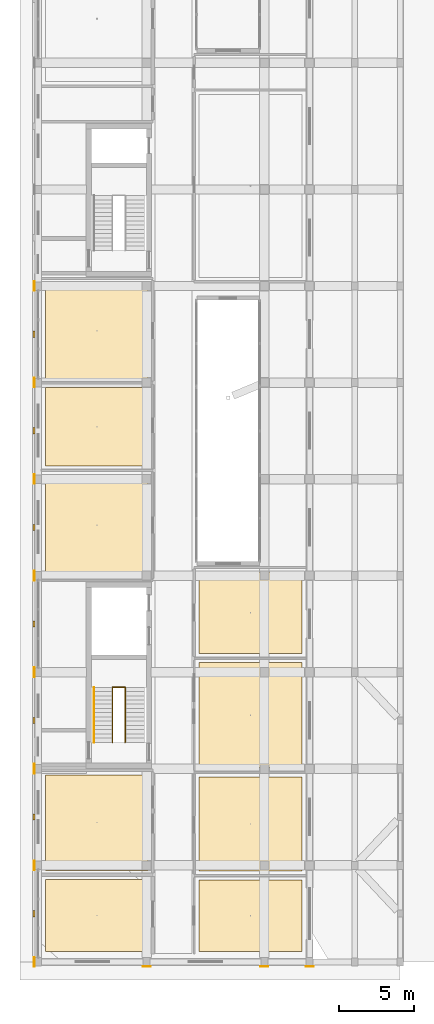
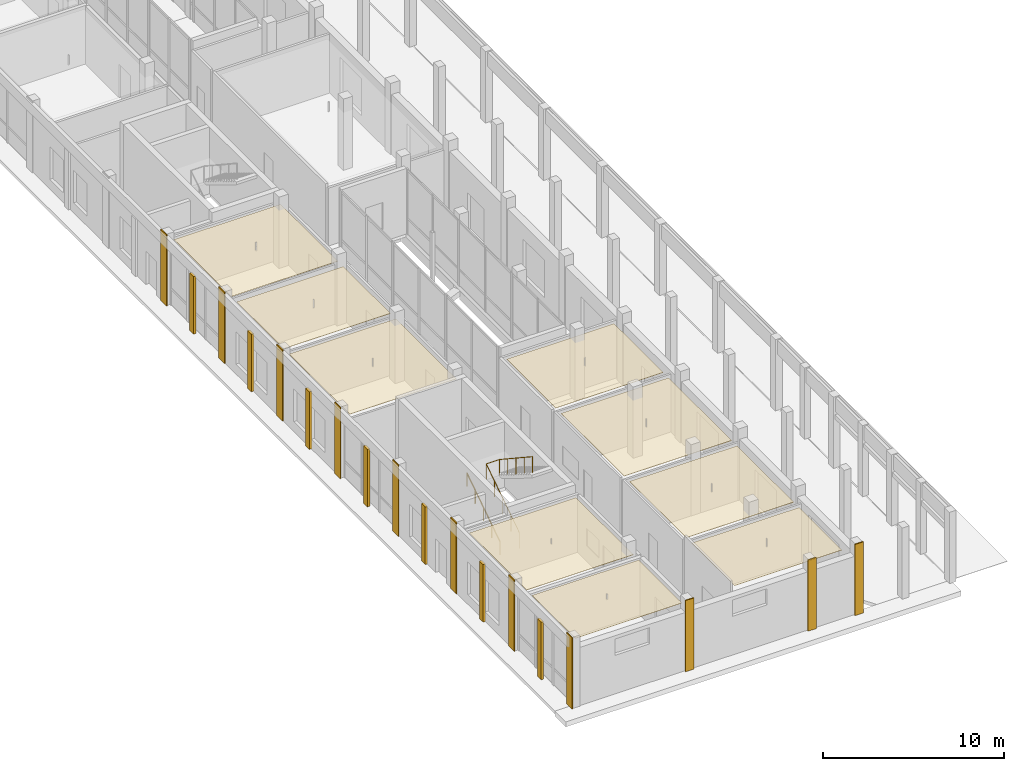
# One storey, part 71 of 88: 27 coverings, 2 railings.
"""IFC4 building model written with IfcOpenShell, lengths in metres."""

from ifc_helpers import new_model, si_unit, derived_unit, direction, frame, origin, origin_2d, place, context, subcontext, project, spatial, polyline, rectangle, circle, outline, extrude, material, layer, layer_set, type_object, element, save


model = new_model("IFC4")

# Units and contexts
model_context = context("Model", 3, precision=1e-05, world=origin(), true_north=direction((0.0, 1.0)))
body_context = subcontext(model_context, "Body", "Model", "MODEL_VIEW")
ifc_project = project(units=[si_unit("LENGTHUNIT", "METRE"), si_unit("AREAUNIT", "SQUARE_METRE"), si_unit("VOLUMEUNIT", "CUBIC_METRE"), si_unit("PLANEANGLEUNIT", "RADIAN"), si_unit("MASSUNIT", "GRAM", prefix="KILO"), derived_unit("THERMALTRANSMITTANCEUNIT", [(si_unit("POWERUNIT", "WATT"), 1), (si_unit("LENGTHUNIT", "METRE"), -2), (si_unit("THERMODYNAMICTEMPERATUREUNIT", "KELVIN"), -1)])], contexts=[model_context])

# Site, building, storey
site_placement = place(None, origin())
site = spatial("IfcSite", under=ifc_project, at=site_placement, CompositionType="ELEMENT")
building_placement = place(site_placement, origin())
building = spatial("IfcBuilding", under=site, at=building_placement, Name="Braskholm Square Health Centre", CompositionType="ELEMENT")
storey_placement = place(building_placement, origin())
storey = spatial("IfcBuildingStorey", under=building, at=storey_placement, Name="L01", CompositionType="ELEMENT", Elevation=0.0)

# Coverings
ifc_material_1 = material(Name="Fire-rated gypsum board barrier")
ifc_layer_1 = layer(ifc_material_1, 0.02490234375)
ifc_layer_set_1 = layer_set([ifc_layer_1], Name="Fire-rated gypsum board barrier")
covering_type_1 = type_object("IfcCoveringType", Name="AcousticClinicalCeilingTile", PredefinedType="CEILING", material=ifc_layer_set_1)
covering_1_placement = place(storey_placement, frame((0.0, 0.0, 3.864990234375)))
element("IfcCovering", 1, at=covering_1_placement, inside=storey, type_object=covering_type_1, Name="Acoustic ceiling L01-022", PredefinedType="CEILING", context=body_context, shape_type="SweptSolid", body=[
    extrude(outline(polyline([(4.705078125, 4.89990234375), (11.5, 4.89990234375), (11.5, 9.669921875), (4.705078125, 9.669921875), (4.705078125, 4.89990234375)])), origin(), (0.0, 0.0, 1.0), 0.02490234375),
])
covering_2_placement = place(storey_placement, frame((0.0, 0.0, 3.864990234375)))
element("IfcCovering", 2, at=covering_2_placement, inside=storey, type_object=covering_type_1, Name="Acoustic ceiling L01-023", PredefinedType="CEILING", context=body_context, shape_type="SweptSolid", body=[
    extrude(outline(polyline([(4.705078125, 10.27001953125), (11.5, 10.27001953125), (11.5, 16.60009765625), (4.705078125, 16.60009765625), (4.705078125, 10.27001953125)])), origin(), (0.0, 0.0, 1.0), 0.02490234375),
])
covering_3_placement = place(storey_placement, frame((0.0, 0.0, 3.864990234375)))
element("IfcCovering", 3, at=covering_3_placement, inside=storey, type_object=covering_type_1, Name="Acoustic ceiling L01-024", PredefinedType="CEILING", context=body_context, shape_type="SweptSolid", body=[
    extrude(outline(polyline([(4.705078125, 29.800048828125), (11.5, 29.800048828125), (11.5, 36.47998046875), (4.705078125, 36.47998046875), (4.705078125, 29.800048828125)])), origin(), (0.0, 0.0, 1.0), 0.02490234375),
])
covering_4_placement = place(storey_placement, frame((0.0, 0.0, 3.864990234375)))
element("IfcCovering", 4, at=covering_4_placement, inside=storey, type_object=covering_type_1, Name="Acoustic ceiling L01-025", PredefinedType="CEILING", context=body_context, shape_type="SweptSolid", body=[
    extrude(outline(polyline([(4.705078125, 37.080078125), (11.5, 37.080078125), (11.5, 42.280029296875), (4.705078125, 42.280029296875), (4.705078125, 37.080078125)])), origin(), (0.0, 0.0, 1.0), 0.02490234375),
])
covering_5_placement = place(storey_placement, frame((0.0, 0.0, 3.864990234375)))
element("IfcCovering", 5, at=covering_5_placement, inside=storey, type_object=covering_type_1, Name="Acoustic ceiling L01-026", PredefinedType="CEILING", context=body_context, shape_type="SweptSolid", body=[
    extrude(outline(polyline([(4.705078125, 42.8798828125), (11.5, 42.8798828125), (11.5, 49.199951171875), (4.705078125, 49.199951171875), (4.705078125, 42.8798828125)])), origin(), (0.0, 0.0, 1.0), 0.02490234375),
])
covering_6_placement = place(storey_placement, frame((0.0, 0.0, 3.864990234375)))
element("IfcCovering", 6, at=covering_6_placement, inside=storey, type_object=covering_type_1, Name="Acoustic ceiling L01-035", PredefinedType="CEILING", context=body_context, shape_type="SweptSolid", body=[
    extrude(outline(polyline([(14.85009765625, 4.89990234375), (21.695068359375, 4.89990234375), (21.695068359375, 9.6201171875), (14.85009765625, 9.6201171875), (14.85009765625, 4.89990234375)])), origin(), (0.0, 0.0, 1.0), 0.02490234375),
])
covering_7_placement = place(storey_placement, frame((0.0, 0.0, 3.864990234375)))
element("IfcCovering", 7, at=covering_7_placement, inside=storey, type_object=covering_type_1, Name="Acoustic ceiling L01-036", PredefinedType="CEILING", context=body_context, shape_type="SweptSolid", body=[
    extrude(outline(polyline([(14.85009765625, 10.219970703125), (21.695068359375, 10.219970703125), (21.695068359375, 16.469970703125), (14.85009765625, 16.469970703125), (14.85009765625, 10.219970703125)])), origin(), (0.0, 0.0, 1.0), 0.02490234375),
])
covering_8_placement = place(storey_placement, frame((0.0, 0.0, 3.864990234375)))
element("IfcCovering", 8, at=covering_8_placement, inside=storey, type_object=covering_type_1, Name="Acoustic ceiling L01-037", PredefinedType="CEILING", context=body_context, shape_type="SweptSolid", body=[
    extrude(outline(polyline([(14.85009765625, 17.070068359375), (21.695068359375, 17.070068359375), (21.695068359375, 24.030029296875), (14.85009765625, 24.030029296875), (14.85009765625, 17.070068359375)])), origin(), (0.0, 0.0, 1.0), 0.02490234375),
])
covering_9_placement = place(storey_placement, frame((0.0, 0.0, 3.864990234375)))
element("IfcCovering", 9, at=covering_9_placement, inside=storey, type_object=covering_type_1, Name="Acoustic ceiling L01-038", PredefinedType="CEILING", context=body_context, shape_type="SweptSolid", body=[
    extrude(outline(polyline([(14.85009765625, 24.6298828125), (21.695068359375, 24.6298828125), (21.695068359375, 30.050048828125), (14.85009765625, 30.050048828125), (14.85009765625, 24.6298828125)])), origin(), (0.0, 0.0, 1.0), 0.02490234375),
])

# Railing
ifc_material_2 = material(Name="Dark patinated chevron architectural bronze", Category="aluminium")
railing_type_1 = type_object("IfcRailingType", Name="BronzeChevronGuardrail1100", PredefinedType="GUARDRAIL", material=ifc_material_2)
railing_1_placement = place(storey_placement, frame((9.1298828125, 18.760009765625, 0.0)))
element("IfcRailing", 10, at=railing_1_placement, inside=storey, type_object=railing_type_1, Name="Stair ST-01 inner well guardrail L01", PredefinedType="GUARDRAIL", context=body_context, shape_type="SweptSolid", body=[
    extrude(circle(Radius=0.02392578125, at=origin_2d()), frame((0.0, 0.0, 1.076171875), z_axis=(0.0, 0.834865213223, 0.550454426587), x_axis=(-1.0, 0.0, 0.0)), (0.0, 0.0, 1.0), 4.35986328125),
    extrude(circle(Radius=0.02392578125, at=origin_2d()), frame((0.0, 3.639892578125, 3.47607421875), z_axis=(1.0, 0.0, 0.0), x_axis=(0.0, 1.0, 0.0)), (0.0, 0.0, 1.0), 0.840087890625),
    extrude(circle(Radius=0.02392578125, at=origin_2d()), frame((0.840087890625, 3.639892578125, 3.47607421875), z_axis=(0.0, -0.834839479206, 0.550493454965), x_axis=(1.0, 0.0, 0.0)), (0.0, 0.0, 1.0), 4.360107421875),
    extrude(circle(Radius=0.02099609375, at=origin_2d()), origin(), (0.0, 0.0, 1.0), 1.052001953125),
    extrude(circle(Radius=0.02099609375, at=origin_2d()), frame((0.0, 0.909912109375, 0.60009765625)), (0.0, 0.0, 1.0), 1.052001953125),
    extrude(circle(Radius=0.02099609375, at=origin_2d()), frame((0.0, 1.81982421875, 1.199951171875)), (0.0, 0.0, 1.0), 1.052001953125),
    extrude(circle(Radius=0.02099609375, at=origin_2d()), frame((0.0, 2.72998046875, 1.7998046875)), (0.0, 0.0, 1.0), 1.052001953125),
    extrude(circle(Radius=0.02099609375, at=origin_2d()), frame((0.0, 3.639892578125, 2.39990234375)), (0.0, 0.0, 1.0), 1.052001953125),
    extrude(circle(Radius=0.02099609375, at=origin_2d()), frame((0.840087890625, 3.639892578125, 2.39990234375)), (0.0, 0.0, 1.0), 1.052001953125),
    extrude(circle(Radius=0.02099609375, at=origin_2d()), frame((0.840087890625, 2.72998046875, 3.0)), (0.0, 0.0, 1.0), 1.052001953125),
    extrude(circle(Radius=0.02099609375, at=origin_2d()), frame((0.840087890625, 1.81982421875, 3.60009765625)), (0.0, 0.0, 1.0), 1.052001953125),
    extrude(circle(Radius=0.02099609375, at=origin_2d()), frame((0.840087890625, 0.909912109375, 4.199951171875)), (0.0, 0.0, 1.0), 1.052001953125),
    extrude(circle(Radius=0.02099609375, at=origin_2d()), frame((0.840087890625, 0.0, 4.800048828125)), (0.0, 0.0, 1.0), 1.052001953125),
])

# Coverings
ifc_material_3 = material(Name="Mankato-Kasota dolomitic limestone ashlar", Category="masonry")
ifc_layer_2 = layer(ifc_material_3, 0.090087890625)
ifc_layer_set_2 = layer_set([ifc_layer_2], Name="Mankato-Kasota dolomitic limestone ashlar")
covering_type_2 = type_object("IfcCoveringType", Name="KasotaAshlarBaseCladding", PredefinedType="CLADDING", material=ifc_layer_set_2)
for number, where, z_axis, x_axis, name in (
    (11, (3.929931640625, 7.39990234375, 0.0), (0.0, 0.0, 1.0), (1.0, 0.0, 0.0), "Fluted Kasota limestone base pilaster 0380"),
    (12, (3.929931640625, 13.800048828125, 0.0), (0.0, 0.0, 1.0), (1.0, 0.0, 0.0), "Fluted Kasota limestone base pilaster 0381"),
    (13, (3.929931640625, 20.199951171875, 0.0), (0.0, 0.0, 1.0), (1.0, 0.0, 0.0), "Fluted Kasota limestone base pilaster 0382"),
    (14, (3.929931640625, 26.60009765625, 0.0), (0.0, 0.0, 1.0), (1.0, 0.0, 0.0), "Fluted Kasota limestone base pilaster 0383"),
    (15, (3.929931640625, 33.0, 0.0), (0.0, 0.0, 1.0), (1.0, 0.0, 0.0), "Fluted Kasota limestone base pilaster 0384"),
    (16, (3.929931640625, 39.39990234375, 0.0), (0.0, 0.0, 1.0), (1.0, 0.0, 0.0), "Fluted Kasota limestone base pilaster 0385"),
    (17, (3.929931640625, 45.800048828125, 0.0), (0.0, 0.0, 1.0), (1.0, 0.0, 0.0), "Fluted Kasota limestone base pilaster 0386"),
):
    element("IfcCovering", number, at=place(storey_placement, frame(where, z_axis=z_axis, x_axis=x_axis)), inside=storey, type_object=covering_type_2, Name=name, PredefinedType="CLADDING", context=body_context, shape_type="SweptSolid", body=[
        extrude(rectangle(XDim=0.159912109375, YDim=0.419921875, at=origin_2d()), origin(), (0.0, 0.0, 1.0), 3.8701171875),
    ])
ifc_material_4 = material(Name="Precast concrete C40/50 architectural white", Category="concrete")
ifc_layer_3 = layer(ifc_material_4, 0.054931640625)
ifc_layer_set_3 = layer_set([ifc_layer_3], Name="Precast concrete C40/50 architectural white")
covering_type_3 = type_object("IfcCoveringType", Name="PrecastWhiteColumnCasing", PredefinedType="CLADDING", material=ifc_layer_set_3)
for number, where, z_axis, x_axis, name in (
    (18, (3.945068359375, 4.199951171875, 0.0), (0.0, 0.0, 1.0), (1.0, 0.0, 0.0), "Giant-order white precast column casing 0001"),
    (19, (3.945068359375, 10.60009765625, 0.0), (0.0, 0.0, 1.0), (1.0, 0.0, 0.0), "Giant-order white precast column casing 0010"),
    (20, (3.945068359375, 17.0, 0.0), (0.0, 0.0, 1.0), (1.0, 0.0, 0.0), "Giant-order white precast column casing 0019"),
    (21, (3.945068359375, 23.39990234375, 0.0), (0.0, 0.0, 1.0), (1.0, 0.0, 0.0), "Giant-order white precast column casing 0028"),
    (22, (3.945068359375, 29.800048828125, 0.0), (0.0, 0.0, 1.0), (1.0, 0.0, 0.0), "Giant-order white precast column casing 0037"),
    (23, (3.945068359375, 36.199951171875, 0.0), (0.0, 0.0, 1.0), (1.0, 0.0, 0.0), "Giant-order white precast column casing 0046"),
    (24, (3.945068359375, 42.60009765625, 0.0), (0.0, 0.0, 1.0), (1.0, 0.0, 0.0), "Giant-order white precast column casing 0055"),
    (25, (3.945068359375, 49.0, 0.0), (0.0, 0.0, 1.0), (1.0, 0.0, 0.0), "Giant-order white precast column casing 0064"),
):
    element("IfcCovering", number, at=place(storey_placement, frame(where, z_axis=z_axis, x_axis=x_axis)), inside=storey, type_object=covering_type_3, Name=name, PredefinedType="CLADDING", context=body_context, shape_type="SweptSolid", body=[
        extrude(rectangle(XDim=0.06005859375, YDim=0.639892578125, at=origin_2d()), origin(), (0.0, 0.0, 1.0), 4.800048828125),
    ])
for number, where, z_axis, x_axis, name in (
    (26, (11.39990234375, 3.89501953125, 0.0), (0.0, 0.0, 1.0), (1.0, 0.0, 0.0), "Giant-order white precast column casing 0154"),
    (27, (19.199951171875, 3.89501953125, 0.0), (0.0, 0.0, 1.0), (1.0, 0.0, 0.0), "Giant-order white precast column casing 0166"),
    (28, (22.199951171875, 3.89501953125, 0.0), (0.0, 0.0, 1.0), (1.0, 0.0, 0.0), "Giant-order white precast column casing 0178"),
):
    element("IfcCovering", number, at=place(storey_placement, frame(where, z_axis=z_axis, x_axis=x_axis)), inside=storey, type_object=covering_type_3, Name=name, PredefinedType="CLADDING", context=body_context, shape_type="SweptSolid", body=[
        extrude(rectangle(XDim=0.5400390625, YDim=0.06005859375, at=origin_2d()), origin(), (0.0, 0.0, 1.0), 4.800048828125),
    ])

# Railing
railing_type_2 = type_object("IfcRailingType", Name="StairTubularHandrail915", PredefinedType="HANDRAIL", material=ifc_material_2)
railing_2_placement = place(storey_placement, frame((7.89990234375, 18.760009765625, 0.0)))
element("IfcRailing", 29, at=railing_2_placement, inside=storey, type_object=railing_type_2, Name="Stair ST-01 wall handrail F1 L01", PredefinedType="HANDRAIL", context=body_context, shape_type="SweptSolid", body=[
    extrude(circle(Radius=0.02392578125, at=origin_2d()), frame((0.0, 0.0, 0.89111328125), z_axis=(0.0, 0.834865213223, 0.550454426587), x_axis=(-1.0, 0.0, 0.0)), (0.0, 0.0, 1.0), 4.35986328125),
    extrude(circle(Radius=0.02099609375, at=origin_2d()), origin(), (0.0, 0.0, 1.0), 0.866943359375),
    extrude(circle(Radius=0.02099609375, at=origin_2d()), frame((0.0, 0.909912109375, 0.60009765625)), (0.0, 0.0, 1.0), 0.866943359375),
    extrude(circle(Radius=0.02099609375, at=origin_2d()), frame((0.0, 1.81982421875, 1.199951171875)), (0.0, 0.0, 1.0), 0.866943359375),
    extrude(circle(Radius=0.02099609375, at=origin_2d()), frame((0.0, 2.72998046875, 1.7998046875)), (0.0, 0.0, 1.0), 0.866943359375),
    extrude(circle(Radius=0.02099609375, at=origin_2d()), frame((0.0, 3.639892578125, 2.39990234375)), (0.0, 0.0, 1.0), 0.866943359375),
])

save(model, "model.ifc")
